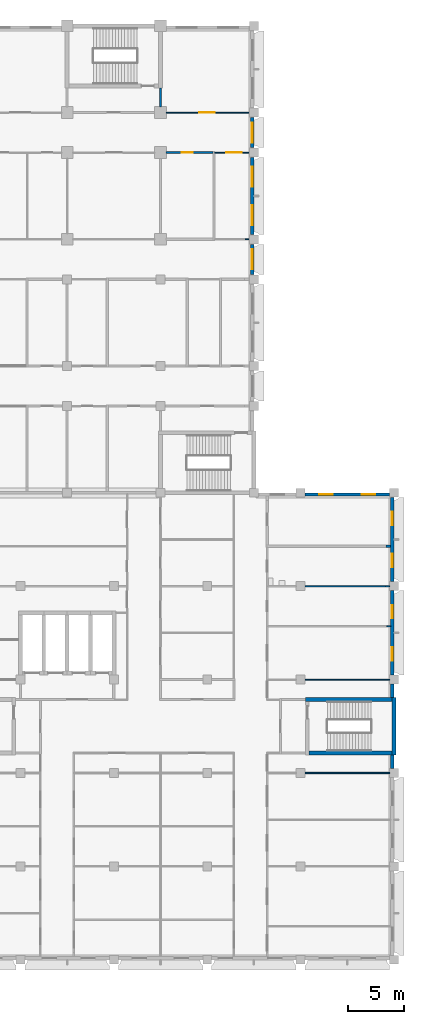
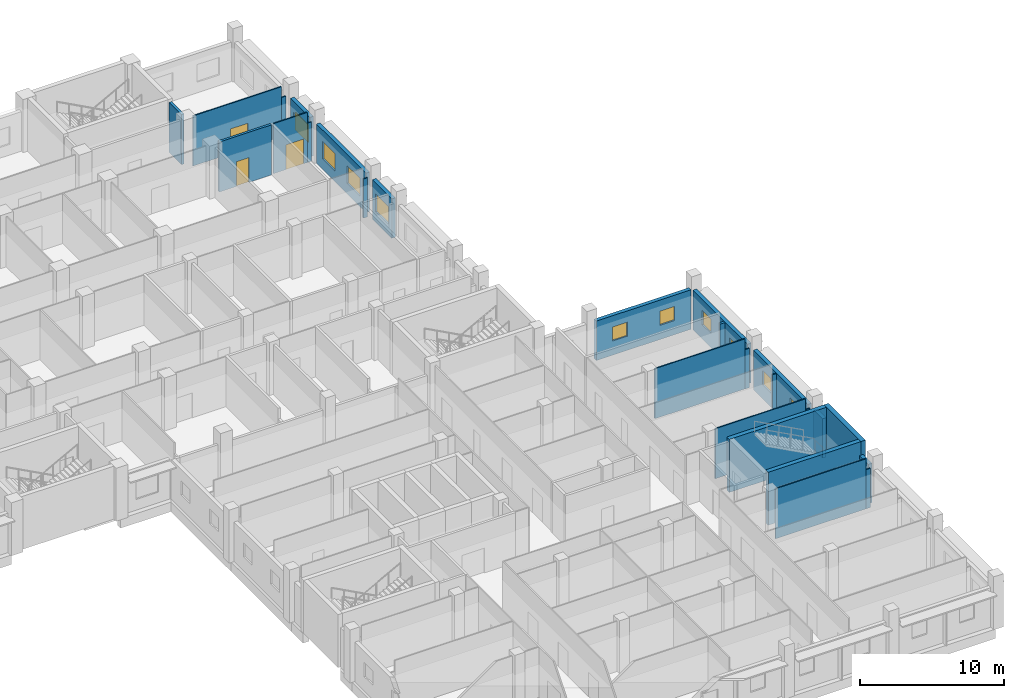
# One storey, part 89 of 136: 26 walls, 10 windows, 3 doors, 13 openings.
"""IFC4 building model written with IfcOpenShell, lengths in metres."""

from ifc_helpers import new_model, si_unit, direction, frame, frame_2d, origin, place, context, subcontext, project, spatial, rectangle, extrude, material, layer, layer_set, type_object, element, fill, save


model = new_model("IFC4")

# Units and contexts
model_context = context("Model", 3, precision=1e-05, world=origin(), true_north=direction((0.0, 1.0)))
body_context = subcontext(model_context, "Body", "Model", "MODEL_VIEW")
ifc_project = project(units=[si_unit("LENGTHUNIT", "METRE"), si_unit("AREAUNIT", "SQUARE_METRE"), si_unit("VOLUMEUNIT", "CUBIC_METRE"), si_unit("PLANEANGLEUNIT", "RADIAN"), si_unit("MASSUNIT", "GRAM", prefix="KILO")], contexts=[model_context])

# Site, building, storey
site_placement = place(None, origin())
site = spatial("IfcSite", under=ifc_project, at=site_placement, CompositionType="ELEMENT")
building_placement = place(site_placement, origin())
building = spatial("IfcBuilding", under=site, at=building_placement, Name="Bougainvillea Quay General Hospital", CompositionType="ELEMENT")
storey_placement = place(building_placement, frame((0.0, 0.0, 5.39990234375)))
storey = spatial("IfcBuildingStorey", under=building, at=storey_placement, Name="L01", CompositionType="ELEMENT", Elevation=5.39990234375)

# Wall, openings, windows
ifc_material_1 = material(Name="Pale stone rainscreen cladding on insulated masonry backing, pale stone", Category="masonry")
ifc_layer_1 = layer(ifc_material_1, 0.300048828125)
ifc_layer_set_1 = layer_set([ifc_layer_1], Name="Pale stone rainscreen cladding on insulated masonry backing, pale stone")
wall_type_1 = type_object("IfcWallType", Name="External wall pale stone rainscreen 300", PredefinedType="STANDARD", material=ifc_layer_set_1)
wall_1_placement = place(storey_placement, frame((205.64990234375, 101.199951171875, 0.0), z_axis=(0.0, 0.0, 1.0), x_axis=(0.0, 1.0, 0.0)))
wall_1 = element("IfcWall", 1, at=wall_1_placement, inside=storey, type_object=wall_type_1, Name="External wall wall/V3/L01/p0/02e", PredefinedType="STANDARD", context=body_context, shape_type="SweptSolid", body=[
    extrude(rectangle(XDim=7.60009765625, YDim=0.300048828125, at=frame_2d((3.800048828125, 0.0))), origin(), (0.0, 0.0, 1.0), 3.35009765625),
])
opening_1_placement = place(wall_1_placement, frame((1.300048828125, 0.0, 1.199951171875)))
opening_1 = element("IfcOpeningElement", 2, at=opening_1_placement, cuts=wall_1, Name="Opening W2", PredefinedType="OPENING", context=body_context, shape_type="SweptSolid", body=[
    extrude(rectangle(XDim=1.199951171875, YDim=1.199951171875, at=frame_2d((0.60009765625, 0.60009765625))), frame((0.0, 0.159912109375, 0.0), z_axis=(0.0, -1.0, 0.0), x_axis=(1.0, 0.0, 0.0)), (0.0, 0.0, 1.0), 0.320068359375),
])
opening_2_placement = place(wall_1_placement, frame((5.10009765625, 0.0, 1.199951171875)))
opening_2 = element("IfcOpeningElement", 3, at=opening_2_placement, cuts=wall_1, Name="Opening W2", PredefinedType="OPENING", context=body_context, shape_type="SweptSolid", body=[
    extrude(rectangle(XDim=1.199951171875, YDim=1.199951171875, at=frame_2d((0.60009765625, 0.60009765625))), frame((0.0, 0.159912109375, 0.0), z_axis=(0.0, -1.0, 0.0), x_axis=(1.0, 0.0, 0.0)), (0.0, 0.0, 1.0), 0.320068359375),
])
ifc_material_2 = material(Name="Aluminium window frame with low-e double glazed unit", Category="aluminium")
window_type_1 = type_object("IfcWindowType", Name="Window W2 1200x1200", PartitioningType="SINGLE_PANEL", PredefinedType="WINDOW", material=ifc_material_2)
window_1_placement = place(opening_1_placement, origin())
window_1 = element("IfcWindow", 4, at=window_1_placement, inside=storey, type_object=window_type_1, Name="Window W2 1", OverallHeight=1.199951171875, OverallWidth=1.199951171875, PartitioningType="SINGLE_PANEL", PredefinedType="WINDOW", context=body_context, shape_type="SweptSolid", body=[
    extrude(rectangle(XDim=1.199951171875, YDim=1.199951171875, at=frame_2d((0.60009765625, 0.60009765625))), frame((0.0, 0.030029296875, 0.0), z_axis=(0.0, -1.0, 0.0), x_axis=(1.0, 0.0, 0.0)), (0.0, 0.0, 1.0), 0.06005859375),
])
fill(opening_1, window_1)
window_2_placement = place(opening_2_placement, origin())
window_2 = element("IfcWindow", 5, at=window_2_placement, inside=storey, type_object=window_type_1, Name="Window W2 2", OverallHeight=1.199951171875, OverallWidth=1.199951171875, PartitioningType="SINGLE_PANEL", PredefinedType="WINDOW", context=body_context, shape_type="SweptSolid", body=[
    extrude(rectangle(XDim=1.199951171875, YDim=1.199951171875, at=frame_2d((0.60009765625, 0.60009765625))), frame((0.0, 0.030029296875, 0.0), z_axis=(0.0, -1.0, 0.0), x_axis=(1.0, 0.0, 0.0)), (0.0, 0.0, 1.0), 0.06005859375),
])
fill(opening_2, window_2)

wall_2_placement = place(storey_placement, frame((205.64990234375, 109.60009765625, 0.0), z_axis=(0.0, 0.0, 1.0), x_axis=(0.0, 1.0, 0.0)))
wall_2 = element("IfcWall", 6, at=wall_2_placement, inside=storey, type_object=wall_type_1, Name="External wall wall/V3/L01/p0/02f", PredefinedType="STANDARD", context=body_context, shape_type="SweptSolid", body=[
    extrude(rectangle(XDim=7.599853515625, YDim=0.300048828125, at=frame_2d((3.7998046875, 0.0))), origin(), (0.0, 0.0, 1.0), 3.35009765625),
])
opening_3_placement = place(wall_2_placement, frame((1.300048828125, 0.0, 1.199951171875)))
opening_3 = element("IfcOpeningElement", 7, at=opening_3_placement, cuts=wall_2, Name="Opening W2", PredefinedType="OPENING", context=body_context, shape_type="SweptSolid", body=[
    extrude(rectangle(XDim=1.199951171875, YDim=1.199951171875, at=frame_2d((0.60009765625, 0.60009765625))), frame((0.0, 0.159912109375, 0.0), z_axis=(0.0, -1.0, 0.0), x_axis=(1.0, 0.0, 0.0)), (0.0, 0.0, 1.0), 0.320068359375),
])
opening_4_placement = place(wall_2_placement, frame((5.10009765625, 0.0, 1.199951171875)))
opening_4 = element("IfcOpeningElement", 8, at=opening_4_placement, cuts=wall_2, Name="Opening W2", PredefinedType="OPENING", context=body_context, shape_type="SweptSolid", body=[
    extrude(rectangle(XDim=1.199951171875, YDim=1.199951171875, at=frame_2d((0.60009765625, 0.60009765625))), frame((0.0, 0.159912109375, 0.0), z_axis=(0.0, -1.0, 0.0), x_axis=(1.0, 0.0, 0.0)), (0.0, 0.0, 1.0), 0.320068359375),
])
window_3_placement = place(opening_3_placement, origin())
window_3 = element("IfcWindow", 9, at=window_3_placement, inside=storey, type_object=window_type_1, Name="Window W2 1", OverallHeight=1.199951171875, OverallWidth=1.199951171875, PartitioningType="SINGLE_PANEL", PredefinedType="WINDOW", context=body_context, shape_type="SweptSolid", body=[
    extrude(rectangle(XDim=1.199951171875, YDim=1.199951171875, at=frame_2d((0.60009765625, 0.60009765625))), frame((0.0, 0.030029296875, 0.0), z_axis=(0.0, -1.0, 0.0), x_axis=(1.0, 0.0, 0.0)), (0.0, 0.0, 1.0), 0.06005859375),
])
fill(opening_3, window_3)
window_4_placement = place(opening_4_placement, origin())
window_4 = element("IfcWindow", 10, at=window_4_placement, inside=storey, type_object=window_type_1, Name="Window W2 2", OverallHeight=1.199951171875, OverallWidth=1.199951171875, PartitioningType="SINGLE_PANEL", PredefinedType="WINDOW", context=body_context, shape_type="SweptSolid", body=[
    extrude(rectangle(XDim=1.199951171875, YDim=1.199951171875, at=frame_2d((0.60009765625, 0.60009765625))), frame((0.0, 0.030029296875, 0.0), z_axis=(0.0, -1.0, 0.0), x_axis=(1.0, 0.0, 0.0)), (0.0, 0.0, 1.0), 0.06005859375),
])
fill(opening_4, window_4)

wall_3_placement = place(storey_placement, frame((205.39990234375, 117.449951171875, 0.0), z_axis=(0.0, 0.0, 1.0), x_axis=(-1.0, 0.0, 0.0)))
wall_3 = element("IfcWall", 11, at=wall_3_placement, inside=storey, type_object=wall_type_1, Name="External wall wall/V3/L01/p0/03a", PredefinedType="STANDARD", context=body_context, shape_type="SweptSolid", body=[
    extrude(rectangle(XDim=7.599853515625, YDim=0.300048828125, at=frame_2d((3.7998046875, 0.0))), origin(), (0.0, 0.0, 1.0), 3.35009765625),
])
opening_5_placement = place(wall_3_placement, frame((1.300048828125, 0.0, 1.199951171875)))
opening_5 = element("IfcOpeningElement", 12, at=opening_5_placement, cuts=wall_3, Name="Opening W2", PredefinedType="OPENING", context=body_context, shape_type="SweptSolid", body=[
    extrude(rectangle(XDim=1.199951171875, YDim=1.199951171875, at=frame_2d((0.60009765625, 0.60009765625))), frame((0.0, 0.159912109375, 0.0), z_axis=(0.0, -1.0, 0.0), x_axis=(1.0, 0.0, 0.0)), (0.0, 0.0, 1.0), 0.320068359375),
])
opening_6_placement = place(wall_3_placement, frame((5.10009765625, 0.0, 1.199951171875)))
opening_6 = element("IfcOpeningElement", 13, at=opening_6_placement, cuts=wall_3, Name="Opening W2", PredefinedType="OPENING", context=body_context, shape_type="SweptSolid", body=[
    extrude(rectangle(XDim=1.199951171875, YDim=1.199951171875, at=frame_2d((0.60009765625, 0.60009765625))), frame((0.0, 0.159912109375, 0.0), z_axis=(0.0, -1.0, 0.0), x_axis=(1.0, 0.0, 0.0)), (0.0, 0.0, 1.0), 0.320068359375),
])
window_5_placement = place(opening_5_placement, origin())
window_5 = element("IfcWindow", 14, at=window_5_placement, inside=storey, type_object=window_type_1, Name="Window W2 1", OverallHeight=1.199951171875, OverallWidth=1.199951171875, PartitioningType="SINGLE_PANEL", PredefinedType="WINDOW", context=body_context, shape_type="SweptSolid", body=[
    extrude(rectangle(XDim=1.199951171875, YDim=1.199951171875, at=frame_2d((0.60009765625, 0.60009765625))), frame((0.0, 0.030029296875, 0.0), z_axis=(0.0, -1.0, 0.0), x_axis=(1.0, 0.0, 0.0)), (0.0, 0.0, 1.0), 0.06005859375),
])
fill(opening_5, window_5)
window_6_placement = place(opening_6_placement, origin())
window_6 = element("IfcWindow", 15, at=window_6_placement, inside=storey, type_object=window_type_1, Name="Window W2 2", OverallHeight=1.199951171875, OverallWidth=1.199951171875, PartitioningType="SINGLE_PANEL", PredefinedType="WINDOW", context=body_context, shape_type="SweptSolid", body=[
    extrude(rectangle(XDim=1.199951171875, YDim=1.199951171875, at=frame_2d((0.60009765625, 0.60009765625))), frame((0.0, 0.030029296875, 0.0), z_axis=(0.0, -1.0, 0.0), x_axis=(1.0, 0.0, 0.0)), (0.0, 0.0, 1.0), 0.06005859375),
])
fill(opening_6, window_6)

# Wall, opening, window
wall_4_placement = place(storey_placement, frame((193.050048828125, 137.25, 0.0), z_axis=(0.0, 0.0, 1.0), x_axis=(0.0, 1.0, 0.0)))
wall_4 = element("IfcWall", 16, at=wall_4_placement, inside=storey, type_object=wall_type_1, Name="External wall wall/V4/L01/p0/00d", PredefinedType="STANDARD", context=body_context, shape_type="SweptSolid", body=[
    extrude(rectangle(XDim=2.699951171875, YDim=0.300048828125, at=frame_2d((1.35009765625, 0.0))), origin(), (0.0, 0.0, 1.0), 3.35009765625),
])
opening_7_placement = place(wall_4_placement, frame((0.449951171875, 0.0, 0.89990234375)))
opening_7 = element("IfcOpeningElement", 17, at=opening_7_placement, cuts=wall_4, Name="Opening W1", PredefinedType="OPENING", context=body_context, shape_type="SweptSolid", body=[
    extrude(rectangle(XDim=1.800048828125, YDim=1.5, at=frame_2d((0.89990234375, 0.75))), frame((0.0, 0.159912109375, 0.0), z_axis=(0.0, -1.0, 0.0), x_axis=(1.0, 0.0, 0.0)), (0.0, 0.0, 1.0), 0.320068359375),
])
window_type_2 = type_object("IfcWindowType", Name="Window W1 1800x1500", PartitioningType="DOUBLE_PANEL_VERTICAL", PredefinedType="WINDOW", material=ifc_material_2)
window_7_placement = place(opening_7_placement, origin())
window_7 = element("IfcWindow", 18, at=window_7_placement, inside=storey, type_object=window_type_2, Name="Window W1 1", OverallHeight=1.5, OverallWidth=1.800048828125, PartitioningType="SINGLE_PANEL", PredefinedType="WINDOW", context=body_context, shape_type="SweptSolid", body=[
    extrude(rectangle(XDim=1.800048828125, YDim=1.5, at=frame_2d((0.89990234375, 0.75))), frame((0.0, 0.030029296875, 0.0), z_axis=(0.0, -1.0, 0.0), x_axis=(1.0, 0.0, 0.0)), (0.0, 0.0, 1.0), 0.06005859375),
])
fill(opening_7, window_7)

# Wall, openings, windows
wall_5_placement = place(storey_placement, frame((193.050048828125, 140.85009765625, 0.0), z_axis=(0.0, 0.0, 1.0), x_axis=(0.0, 1.0, 0.0)))
wall_5 = element("IfcWall", 19, at=wall_5_placement, inside=storey, type_object=wall_type_1, Name="External wall wall/V4/L01/p0/00e", PredefinedType="STANDARD", context=body_context, shape_type="SweptSolid", body=[
    extrude(rectangle(XDim=6.89990234375, YDim=0.300048828125, at=frame_2d((3.449951171875, 0.0))), origin(), (0.0, 0.0, 1.0), 3.35009765625),
])
opening_8_placement = place(wall_5_placement, frame((0.824951171875, 0.0, 0.89990234375)))
opening_8 = element("IfcOpeningElement", 20, at=opening_8_placement, cuts=wall_5, Name="Opening W1", PredefinedType="OPENING", context=body_context, shape_type="SweptSolid", body=[
    extrude(rectangle(XDim=1.800048828125, YDim=1.5, at=frame_2d((0.89990234375, 0.75))), frame((0.0, 0.159912109375, 0.0), z_axis=(0.0, -1.0, 0.0), x_axis=(1.0, 0.0, 0.0)), (0.0, 0.0, 1.0), 0.320068359375),
])
opening_9_placement = place(wall_5_placement, frame((4.27490234375, 0.0, 0.89990234375)))
opening_9 = element("IfcOpeningElement", 21, at=opening_9_placement, cuts=wall_5, Name="Opening W1", PredefinedType="OPENING", context=body_context, shape_type="SweptSolid", body=[
    extrude(rectangle(XDim=1.800048828125, YDim=1.5, at=frame_2d((0.89990234375, 0.75))), frame((0.0, 0.159912109375, 0.0), z_axis=(0.0, -1.0, 0.0), x_axis=(1.0, 0.0, 0.0)), (0.0, 0.0, 1.0), 0.320068359375),
])
window_8_placement = place(opening_8_placement, origin())
window_8 = element("IfcWindow", 22, at=window_8_placement, inside=storey, type_object=window_type_2, Name="Window W1 1", OverallHeight=1.5, OverallWidth=1.800048828125, PartitioningType="SINGLE_PANEL", PredefinedType="WINDOW", context=body_context, shape_type="SweptSolid", body=[
    extrude(rectangle(XDim=1.800048828125, YDim=1.5, at=frame_2d((0.89990234375, 0.75))), frame((0.0, 0.030029296875, 0.0), z_axis=(0.0, -1.0, 0.0), x_axis=(1.0, 0.0, 0.0)), (0.0, 0.0, 1.0), 0.06005859375),
])
fill(opening_8, window_8)
window_9_placement = place(opening_9_placement, origin())
window_9 = element("IfcWindow", 23, at=window_9_placement, inside=storey, type_object=window_type_2, Name="Window W1 2", OverallHeight=1.5, OverallWidth=1.800048828125, PartitioningType="SINGLE_PANEL", PredefinedType="WINDOW", context=body_context, shape_type="SweptSolid", body=[
    extrude(rectangle(XDim=1.800048828125, YDim=1.5, at=frame_2d((0.89990234375, 0.75))), frame((0.0, 0.030029296875, 0.0), z_axis=(0.0, -1.0, 0.0), x_axis=(1.0, 0.0, 0.0)), (0.0, 0.0, 1.0), 0.06005859375),
])
fill(opening_9, window_9)

# Wall, opening, window
wall_6_placement = place(storey_placement, frame((193.050048828125, 148.64990234375, 0.0), z_axis=(0.0, 0.0, 1.0), x_axis=(0.0, 1.0, 0.0)))
wall_6 = element("IfcWall", 24, at=wall_6_placement, inside=storey, type_object=wall_type_1, Name="External wall wall/V4/L01/p0/00f", PredefinedType="STANDARD", context=body_context, shape_type="SweptSolid", body=[
    extrude(rectangle(XDim=2.7001953125, YDim=0.300048828125, at=frame_2d((1.35009765625, 0.0))), origin(), (0.0, 0.0, 1.0), 3.35009765625),
])
opening_10_placement = place(wall_6_placement, frame((0.449951171875, 0.0, 0.89990234375)))
opening_10 = element("IfcOpeningElement", 25, at=opening_10_placement, cuts=wall_6, Name="Opening W1", PredefinedType="OPENING", context=body_context, shape_type="SweptSolid", body=[
    extrude(rectangle(XDim=1.800048828125, YDim=1.5, at=frame_2d((0.89990234375, 0.75))), frame((0.0, 0.159912109375, 0.0), z_axis=(0.0, -1.0, 0.0), x_axis=(1.0, 0.0, 0.0)), (0.0, 0.0, 1.0), 0.320068359375),
])
window_10_placement = place(opening_10_placement, origin())
window_10 = element("IfcWindow", 26, at=window_10_placement, inside=storey, type_object=window_type_2, Name="Window W1 1", OverallHeight=1.5, OverallWidth=1.800048828125, PartitioningType="SINGLE_PANEL", PredefinedType="WINDOW", context=body_context, shape_type="SweptSolid", body=[
    extrude(rectangle(XDim=1.800048828125, YDim=1.5, at=frame_2d((0.89990234375, 0.75))), frame((0.0, 0.030029296875, 0.0), z_axis=(0.0, -1.0, 0.0), x_axis=(1.0, 0.0, 0.0)), (0.0, 0.0, 1.0), 0.06005859375),
])
fill(opening_10, window_10)

# Walls
ifc_material_3 = material(Name="Terracotta rainscreen cladding on insulated masonry backing, terracotta", Category="masonry")
ifc_layer_2 = layer(ifc_material_3, 0.300048828125)
ifc_layer_set_2 = layer_set([ifc_layer_2], Name="Terracotta rainscreen cladding on insulated masonry backing, terracotta")
wall_type_2 = type_object("IfcWallType", Name="External wall terracotta rainscreen 300", PredefinedType="STANDARD", material=ifc_layer_set_2)
for number, where, z_axis, x_axis, name in (
    (27, (205.64990234375, 92.800048828125, 0.0), (0.0, 0.0, 1.0), (0.0, 1.0, 0.0), "External wall wall/V3/L01/p0/02c"),
    (28, (205.64990234375, 99.175048828125, 0.0), (0.0, 0.0, 1.0), (0.0, 1.0, 0.0), "External wall wall/V3/L01/p0/02d"),
):
    element("IfcWall", number, at=place(storey_placement, frame(where, z_axis=z_axis, x_axis=x_axis)), inside=storey, type_object=wall_type_2, Name=name, PredefinedType="STANDARD", context=body_context, shape_type="SweptSolid", body=[
        extrude(rectangle(XDim=1.224853515625, YDim=0.300048828125, at=frame_2d((0.6123046875, 0.0))), origin(), (0.0, 0.0, 1.0), 3.35009765625),
    ])
ifc_material_4 = material(Name="Gypsum board partition on steel studs", Category="steel")
ifc_layer_3 = layer(ifc_material_4, 0.10009765625)
ifc_layer_set_3 = layer_set([ifc_layer_3], Name="Gypsum board partition on steel studs")
wall_type_3 = type_object("IfcWallType", Name="Partition 100 Gypsum board partition", PredefinedType="PARTITIONING", material=ifc_layer_set_3)
wall_7_placement = place(storey_placement, frame((197.800048828125, 92.39990234375, 0.0), z_axis=(0.0, 0.0, 1.0), x_axis=(1.0, 0.0, 0.0)))
element("IfcWall", 29, at=wall_7_placement, inside=storey, type_object=wall_type_3, Name="Partition 100 mm", PredefinedType="PARTITIONING", context=body_context, shape_type="SweptSolid", body=[
    extrude(rectangle(XDim=7.25, YDim=0.10009765625, at=frame_2d((3.625, 0.0))), origin(), (0.0, 0.0, 1.0), 4.25),
])
wall_8_placement = place(storey_placement, frame((205.050048828125, 92.39990234375, 0.0), z_axis=(0.0, 0.0, 1.0), x_axis=(1.0, 0.0, 0.0)))
element("IfcWall", 30, at=wall_8_placement, inside=storey, type_object=wall_type_3, Name="Partition 100 mm", PredefinedType="PARTITIONING", context=body_context, shape_type="SweptSolid", body=[
    extrude(rectangle(XDim=0.349853515625, YDim=0.10009765625, at=frame_2d((0.1748046875, 0.0))), origin(), (0.0, 0.0, 1.0), 3.330078125),
])
wall_9_placement = place(storey_placement, frame((197.800048828125, 100.800048828125, 0.0), z_axis=(0.0, 0.0, 1.0), x_axis=(1.0, 0.0, 0.0)))
element("IfcWall", 31, at=wall_9_placement, inside=storey, type_object=wall_type_3, Name="Partition 100 mm", PredefinedType="PARTITIONING", context=body_context, shape_type="SweptSolid", body=[
    extrude(rectangle(XDim=7.25, YDim=0.10009765625, at=frame_2d((3.625, 0.0))), origin(), (0.0, 0.0, 1.0), 4.25),
])
wall_10_placement = place(storey_placement, frame((205.050048828125, 100.800048828125, 0.0), z_axis=(0.0, 0.0, 1.0), x_axis=(1.0, 0.0, 0.0)))
element("IfcWall", 32, at=wall_10_placement, inside=storey, type_object=wall_type_3, Name="Partition 100 mm", PredefinedType="PARTITIONING", context=body_context, shape_type="SweptSolid", body=[
    extrude(rectangle(XDim=0.349853515625, YDim=0.10009765625, at=frame_2d((0.1748046875, 0.0))), origin(), (0.0, 0.0, 1.0), 3.330078125),
])
wall_11_placement = place(storey_placement, frame((205.14990234375, 105.60009765625, 0.0), z_axis=(0.0, 0.0, 1.0), x_axis=(1.0, 0.0, 0.0)))
element("IfcWall", 33, at=wall_11_placement, inside=storey, type_object=wall_type_3, Name="Partition 100 mm", PredefinedType="PARTITIONING", context=body_context, shape_type="SweptSolid", body=[
    extrude(rectangle(XDim=0.35009765625, YDim=0.10009765625, at=frame_2d((0.175048828125, 0.0))), origin(), (0.0, 0.0, 1.0), 3.330078125),
])
wall_12_placement = place(storey_placement, frame((197.800048828125, 109.199951171875, 0.0), z_axis=(0.0, 0.0, 1.0), x_axis=(1.0, 0.0, 0.0)))
element("IfcWall", 34, at=wall_12_placement, inside=storey, type_object=wall_type_3, Name="Partition 100 mm", PredefinedType="PARTITIONING", context=body_context, shape_type="SweptSolid", body=[
    extrude(rectangle(XDim=7.25, YDim=0.10009765625, at=frame_2d((3.625, 0.0))), origin(), (0.0, 0.0, 1.0), 4.25),
])
wall_13_placement = place(storey_placement, frame((205.050048828125, 109.199951171875, 0.0), z_axis=(0.0, 0.0, 1.0), x_axis=(1.0, 0.0, 0.0)))
element("IfcWall", 35, at=wall_13_placement, inside=storey, type_object=wall_type_3, Name="Partition 100 mm", PredefinedType="PARTITIONING", context=body_context, shape_type="SweptSolid", body=[
    extrude(rectangle(XDim=0.349853515625, YDim=0.10009765625, at=frame_2d((0.1748046875, 0.0))), origin(), (0.0, 0.0, 1.0), 3.330078125),
])

# Wall, opening, door
wall_14_placement = place(storey_placement, frame((185.300048828125, 151.800048828125, 0.0), z_axis=(0.0, 0.0, 1.0), x_axis=(1.0, 0.0, 0.0)))
wall_14 = element("IfcWall", 36, at=wall_14_placement, inside=storey, type_object=wall_type_3, Name="Partition 100 mm", PredefinedType="PARTITIONING", context=body_context, shape_type="SweptSolid", body=[
    extrude(rectangle(XDim=7.099853515625, YDim=0.10009765625, at=frame_2d((3.5498046875, 0.0))), origin(), (0.0, 0.0, 1.0), 4.25),
])
opening_11_placement = place(wall_14_placement, frame((3.0, 0.0, 0.0)))
opening_11 = element("IfcOpeningElement", 37, at=opening_11_placement, cuts=wall_14, Name="Opening L01.219", PredefinedType="OPENING", context=body_context, shape_type="SweptSolid", body=[
    extrude(rectangle(XDim=1.39990234375, YDim=2.10009765625, at=frame_2d((0.699951171875, 1.050048828125))), frame((0.0, 0.06005859375, 0.0), z_axis=(0.0, -1.0, 0.0), x_axis=(1.0, 0.0, 0.0)), (0.0, 0.0, 1.0), 0.1201171875),
])
ifc_material_5 = material(Name="Solid-core timber door leaves in steel frame", Category="steel")
door_type_1 = type_object("IfcDoorType", Name="Bed door pair 1400x2100", OperationType="DOUBLE_DOOR_SINGLE_SWING", PredefinedType="DOOR", material=ifc_material_5)
door_1_placement = place(opening_11_placement, origin())
door_1 = element("IfcDoor", 38, at=door_1_placement, inside=storey, type_object=door_type_1, Name="DT09 L01.219", OperationType="DOUBLE_DOOR_SINGLE_SWING", OverallHeight=2.10009765625, OverallWidth=1.39990234375, PredefinedType="DOOR", context=body_context, shape_type="SweptSolid", body=[
    extrude(rectangle(XDim=1.39990234375, YDim=2.10009765625, at=frame_2d((0.699951171875, 1.050048828125))), frame((0.0, 0.02490234375, 0.0), z_axis=(0.0, -1.0, 0.0), x_axis=(1.0, 0.0, 0.0)), (0.0, 0.0, 1.0), 0.050048828125),
])
fill(opening_11, door_1)

# Walls
for number, where, z_axis, x_axis, name in (
    (39, (192.39990234375, 151.800048828125, 0.0), (0.0, 0.0, 1.0), (1.0, 0.0, 0.0), "Partition 100 mm"),
    (40, (192.39990234375, 140.39990234375, 0.0), (0.0, 0.0, 1.0), (1.0, 0.0, 0.0), "Partition 100 mm"),
):
    element("IfcWall", number, at=place(storey_placement, frame(where, z_axis=z_axis, x_axis=x_axis)), inside=storey, type_object=wall_type_3, Name=name, PredefinedType="PARTITIONING", context=body_context, shape_type="SweptSolid", body=[
        extrude(rectangle(XDim=0.35009765625, YDim=0.10009765625, at=frame_2d((0.175048828125, 0.0))), origin(), (0.0, 0.0, 1.0), 3.330078125),
    ])

# Wall, opening, door
wall_15_placement = place(storey_placement, frame((189.699951171875, 148.199951171875, 0.0), z_axis=(0.0, 0.0, 1.0), x_axis=(1.0, 0.0, 0.0)))
wall_15 = element("IfcWall", 41, at=wall_15_placement, inside=storey, type_object=wall_type_3, Name="Partition 100 mm", PredefinedType="PARTITIONING", context=body_context, shape_type="SweptSolid", body=[
    extrude(rectangle(XDim=2.699951171875, YDim=0.10009765625, at=frame_2d((1.35009765625, 0.0))), origin(), (0.0, 0.0, 1.0), 4.25),
])
opening_12_placement = place(wall_15_placement, frame((1.0, 0.0, 0.0)))
opening_12 = element("IfcOpeningElement", 42, at=opening_12_placement, cuts=wall_15, Name="Opening L01.215", PredefinedType="OPENING", context=body_context, shape_type="SweptSolid", body=[
    extrude(rectangle(XDim=1.39990234375, YDim=2.10009765625, at=frame_2d((0.699951171875, 1.050048828125))), frame((0.0, 0.06005859375, 0.0), z_axis=(0.0, -1.0, 0.0), x_axis=(1.0, 0.0, 0.0)), (0.0, 0.0, 1.0), 0.1201171875),
])
door_2_placement = place(opening_12_placement, frame((1.39990234375, 0.0, 0.0), z_axis=(0.0, 0.0, 1.0), x_axis=(-1.0, 0.0, 0.0)))
door_2 = element("IfcDoor", 43, at=door_2_placement, inside=storey, type_object=door_type_1, Name="DT09 L01.215", OperationType="DOUBLE_DOOR_SINGLE_SWING", OverallHeight=2.10009765625, OverallWidth=1.39990234375, PredefinedType="DOOR", context=body_context, shape_type="SweptSolid", body=[
    extrude(rectangle(XDim=1.39990234375, YDim=2.10009765625, at=frame_2d((0.699951171875, 1.050048828125))), frame((0.0, 0.02490234375, 0.0), z_axis=(0.0, -1.0, 0.0), x_axis=(1.0, 0.0, 0.0)), (0.0, 0.0, 1.0), 0.050048828125),
])
fill(opening_12, door_2)

# Walls
wall_16_placement = place(storey_placement, frame((192.39990234375, 148.199951171875, 0.0), z_axis=(0.0, 0.0, 1.0), x_axis=(1.0, 0.0, 0.0)))
element("IfcWall", 44, at=wall_16_placement, inside=storey, type_object=wall_type_3, Name="Partition 100 mm", PredefinedType="PARTITIONING", context=body_context, shape_type="SweptSolid", body=[
    extrude(rectangle(XDim=0.35009765625, YDim=0.10009765625, at=frame_2d((0.175048828125, 0.0))), origin(), (0.0, 0.0, 1.0), 3.330078125),
])
ifc_material_6 = material(Name="Fire-rated autoclaved aerated block wall, plastered")
ifc_layer_4 = layer(ifc_material_6, 0.199951171875)
ifc_layer_set_4 = layer_set([ifc_layer_4], Name="Fire-rated autoclaved aerated block wall, plastered")
wall_type_4 = type_object("IfcWallType", Name="Partition 200 Fire-rated autoclaved aerated block wall EI 120", PredefinedType="SOLIDWALL", material=ifc_layer_set_4)
wall_17_placement = place(storey_placement, frame((184.800048828125, 152.300048828125, 0.0), z_axis=(0.0, 0.0, 1.0), x_axis=(0.0, 1.0, 0.0)))
element("IfcWall", 45, at=wall_17_placement, inside=storey, type_object=wall_type_4, Name="Partition 200 mm EI 120", PredefinedType="SOLIDWALL", context=body_context, shape_type="SweptSolid", body=[
    extrude(rectangle(XDim=1.724853515625, YDim=0.199951171875, at=frame_2d((0.8623046875, 0.0))), origin(), (0.0, 0.0, 1.0), 4.25),
])
ifc_layer_5 = layer(ifc_material_6, 0.199951171875)
ifc_layer_set_5 = layer_set([ifc_layer_5], Name="Fire-rated autoclaved aerated block wall, plastered")
wall_type_5 = type_object("IfcWallType", Name="Partition 200 Fire-rated autoclaved aerated block wall EI 60", PredefinedType="SOLIDWALL", material=ifc_layer_set_5)
wall_18_placement = place(storey_placement, frame((205.10009765625, 112.800048828125, 0.0), z_axis=(0.0, 0.0, 1.0), x_axis=(1.0, 0.0, 0.0)))
element("IfcWall", 46, at=wall_18_placement, inside=storey, type_object=wall_type_5, Name="Partition 200 mm EI 60", PredefinedType="SOLIDWALL", context=body_context, shape_type="SweptSolid", body=[
    extrude(rectangle(XDim=0.39990234375, YDim=0.199951171875, at=frame_2d((0.199951171875, 0.0))), origin(), (0.0, 0.0, 1.0), 3.330078125),
])

# Wall, opening, door
wall_19_placement = place(storey_placement, frame((185.300048828125, 148.199951171875, 0.0), z_axis=(0.0, 0.0, 1.0), x_axis=(1.0, 0.0, 0.0)))
wall_19 = element("IfcWall", 47, at=wall_19_placement, inside=storey, type_object=wall_type_5, Name="Partition 200 mm EI 60", PredefinedType="SOLIDWALL", context=body_context, shape_type="SweptSolid", body=[
    extrude(rectangle(XDim=4.199951171875, YDim=0.199951171875, at=frame_2d((2.10009765625, 0.0))), origin(), (0.0, 0.0, 1.0), 4.25),
])
opening_13_placement = place(wall_19_placement, frame((1.39990234375, 0.0, 0.0)))
opening_13 = element("IfcOpeningElement", 48, at=opening_13_placement, cuts=wall_19, Name="Opening L01.214", PredefinedType="OPENING", context=body_context, shape_type="SweptSolid", body=[
    extrude(rectangle(XDim=1.0, YDim=2.10009765625, at=frame_2d((0.5, 1.050048828125))), frame((0.0, 0.10986328125, 0.0), z_axis=(0.0, -1.0, 0.0), x_axis=(1.0, 0.0, 0.0)), (0.0, 0.0, 1.0), 0.219970703125),
])
ifc_material_7 = material(Name="Steel fire door leaf in steel frame", Category="steel")
door_type_2 = type_object("IfcDoorType", Name="Steel single leaf door 1000x2100 FD60", OperationType="NOTDEFINED", PredefinedType="DOOR", material=ifc_material_7)
door_3_placement = place(opening_13_placement, frame((1.0, 0.0, 0.0), z_axis=(0.0, 0.0, 1.0), x_axis=(-1.0, 0.0, 0.0)))
door_3 = element("IfcDoor", 49, at=door_3_placement, inside=storey, type_object=door_type_2, Name="DT10 L01.214", OperationType="SINGLE_SWING_RIGHT", OverallHeight=2.10009765625, OverallWidth=1.0, PredefinedType="DOOR", context=body_context, shape_type="SweptSolid", body=[
    extrude(rectangle(XDim=1.0, YDim=2.10009765625, at=frame_2d((0.5, 1.050048828125))), frame((0.0, 0.02490234375, 0.0), z_axis=(0.0, -1.0, 0.0), x_axis=(1.0, 0.0, 0.0)), (0.0, 0.0, 1.0), 0.050048828125),
])
fill(opening_13, door_3)

# Walls
ifc_material_8 = material(Name="Concrete C40", Category="concrete")
ifc_layer_6 = layer(ifc_material_8, 0.35009765625)
ifc_layer_set_6 = layer_set([ifc_layer_6], Name="Concrete C40")
wall_type_6 = type_object("IfcWallType", Name="RC SHEAR WALL 350 C40", PredefinedType="SHEAR", material=ifc_layer_set_6)
wall_20_placement = place(storey_placement, frame((197.824951171875, 99.0, 0.0), z_axis=(0.0, 0.0, 1.0), x_axis=(1.0, 0.0, 0.0)))
element("IfcWall", 50, at=wall_20_placement, inside=storey, type_object=wall_type_6, Name="Shear wall L01", PredefinedType="SHEAR", context=body_context, shape_type="SweptSolid", body=[
    extrude(rectangle(XDim=7.800048828125, YDim=0.35009765625, at=frame_2d((3.89990234375, 0.0))), origin(), (0.0, 0.0, 1.0), 4.5),
])
wall_21_placement = place(storey_placement, frame((198.175048828125, 94.199951171875, 0.0), z_axis=(0.0, 0.0, 1.0), x_axis=(1.0, 0.0, 0.0)))
element("IfcWall", 51, at=wall_21_placement, inside=storey, type_object=wall_type_6, Name="Shear wall L01", PredefinedType="SHEAR", context=body_context, shape_type="SweptSolid", body=[
    extrude(rectangle(XDim=7.449951171875, YDim=0.35009765625, at=frame_2d((3.72509765625, 0.0))), origin(), (0.0, 0.0, 1.0), 4.5),
])
wall_22_placement = place(storey_placement, frame((205.800048828125, 94.02490234375, 0.0), z_axis=(0.0, 0.0, 1.0), x_axis=(0.0, 1.0, 0.0)))
element("IfcWall", 52, at=wall_22_placement, inside=storey, type_object=wall_type_6, Name="Shear wall L01", PredefinedType="SHEAR", context=body_context, shape_type="SweptSolid", body=[
    extrude(rectangle(XDim=5.150146484375, YDim=0.35009765625, at=frame_2d((2.5751953125, 0.0))), origin(), (0.0, 0.0, 1.0), 4.5),
])

save(model, "model.ifc")
